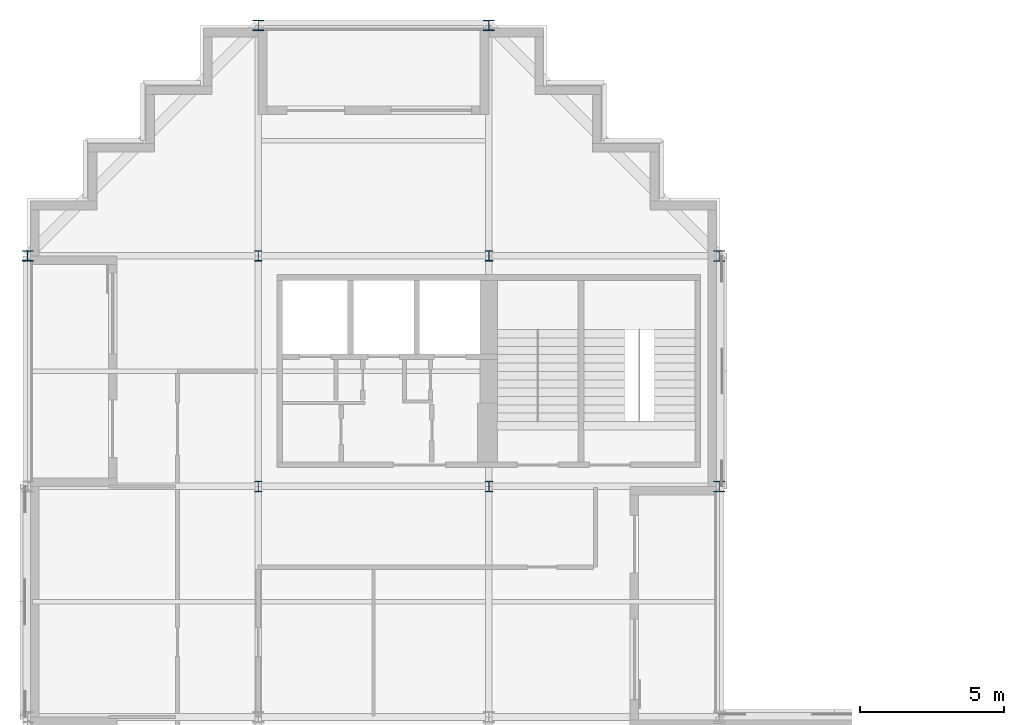
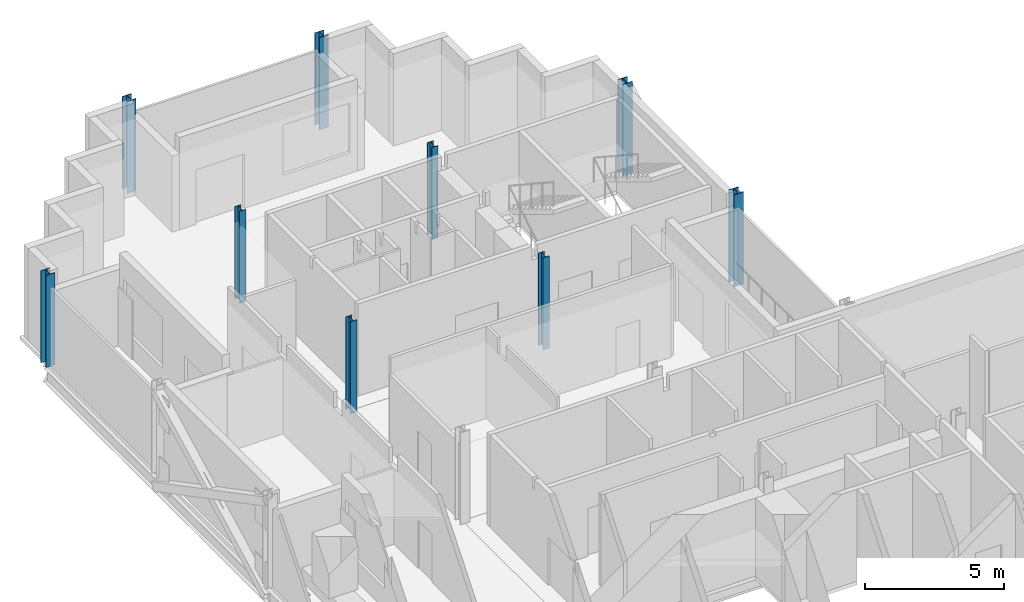
# One storey, part 2 of 11: 9 columns.
"""IFC4 building model written with IfcOpenShell, lengths in metres."""

from ifc_helpers import new_model, si_unit, direction, frame, origin, origin_2d, place, context, subcontext, project, spatial, i_section, extrude, material, material_profile, profile_set, type_object, element, save


model = new_model("IFC4")

# Units and contexts
model_context = context("Model", 3, precision=1e-05, world=origin(), true_north=direction((0.0, 1.0)))
body_context = subcontext(model_context, "Body", "Model", "MODEL_VIEW")
ifc_project = project(units=[si_unit("LENGTHUNIT", "METRE"), si_unit("AREAUNIT", "SQUARE_METRE"), si_unit("VOLUMEUNIT", "CUBIC_METRE"), si_unit("PLANEANGLEUNIT", "RADIAN"), si_unit("MASSUNIT", "GRAM", prefix="KILO")], contexts=[model_context])

# Site, building, storey
site_placement = place(None, origin())
site = spatial("IfcSite", under=ifc_project, at=site_placement, CompositionType="ELEMENT")
building_placement = place(site_placement, origin())
building = spatial("IfcBuilding", under=site, at=building_placement, Name="Immortelle Media Tower", CompositionType="ELEMENT")
storey_placement = place(building_placement, frame((0.0, 0.0, 157.800048828125)))
storey = spatial("IfcBuildingStorey", under=building, at=storey_placement, Name="L32", CompositionType="ELEMENT", Elevation=157.800048828125)

# Columns
ifc_material = material(Name="Steel ASTM A992 Gr 50", Category="steel")
ifc_material_profile_1 = material_profile(ifc_material, i_section(OverallWidth=0.373046875, OverallDepth=0.367919921875, WebThickness=0.014892578125, FlangeThickness=0.02392578125, at=origin_2d()), Name="W14x120")
ifc_profile_set_1 = profile_set([ifc_material_profile_1], Name="Steel ASTM A992 Gr 50")
column_type_1 = type_object("IfcColumnType", Name="W14x120 column", PredefinedType="COLUMN", material=ifc_profile_set_1)
for number, where, z_axis, x_axis, name in (
    (1, (0.0, 40.0, 0.0), (0.0, 0.0, 1.0), (1.0, 0.0, 0.0), "Column 1/F"),
    (2, (8.0, 48.0, 0.0), (0.0, 0.0, 1.0), (1.0, 0.0, 0.0), "Column 2/G"),
    (3, (16.0, 48.0, 0.0), (0.0, 0.0, 1.0), (1.0, 0.0, 0.0), "Column 3/G"),
):
    element("IfcColumn", number, at=place(storey_placement, frame(where, z_axis=z_axis, x_axis=x_axis)), inside=storey, type_object=column_type_1, Name=name, PredefinedType="COLUMN", context=body_context, shape_type="SweptSolid", body=[
        extrude(i_section(OverallWidth=0.373046875, OverallDepth=0.367919921875, WebThickness=0.014892578125, FlangeThickness=0.02392578125, at=origin_2d()), origin(), (0.0, 0.0, 1.0), 4.050048828125),
    ])
ifc_material_profile_2 = material_profile(ifc_material, i_section(OverallWidth=0.39892578125, OverallDepth=0.385986328125, WebThickness=0.02099609375, FlangeThickness=0.032958984375, at=origin_2d()), Name="W14x176")
ifc_profile_set_2 = profile_set([ifc_material_profile_2], Name="Steel ASTM A992 Gr 50")
column_type_2 = type_object("IfcColumnType", Name="W14x176 column", PredefinedType="COLUMN", material=ifc_profile_set_2)
for number, where, z_axis, x_axis, name in (
    (4, (24.0, 32.0, 0.0), (0.0, 0.0, 1.0), (1.0, 0.0, 0.0), "Column 4/E"),
    (5, (24.0, 40.0, 0.0), (0.0, 0.0, 1.0), (1.0, 0.0, 0.0), "Column 4/F"),
):
    element("IfcColumn", number, at=place(storey_placement, frame(where, z_axis=z_axis, x_axis=x_axis)), inside=storey, type_object=column_type_2, Name=name, PredefinedType="COLUMN", context=body_context, shape_type="SweptSolid", body=[
        extrude(i_section(OverallWidth=0.39892578125, OverallDepth=0.385986328125, WebThickness=0.02099609375, FlangeThickness=0.032958984375, at=origin_2d()), origin(), (0.0, 0.0, 1.0), 4.050048828125),
    ])
ifc_material_profile_3 = material_profile(ifc_material, i_section(OverallWidth=0.257080078125, OverallDepth=0.363037109375, WebThickness=0.012939453125, FlangeThickness=0.02197265625, at=origin_2d()), Name="W14x82")
ifc_profile_set_3 = profile_set([ifc_material_profile_3], Name="Steel ASTM A992 Gr 50")
column_type_3 = type_object("IfcColumnType", Name="W14x82 column", PredefinedType="COLUMN", material=ifc_profile_set_3)
for number, where, z_axis, x_axis, name in (
    (6, (8.0, 32.0, 0.0), (0.0, 0.0, 1.0), (1.0, 0.0, 0.0), "Column 2/E"),
    (7, (8.0, 40.0, 0.0), (0.0, 0.0, 1.0), (1.0, 0.0, 0.0), "Column 2/F"),
    (8, (16.0, 32.0, 0.0), (0.0, 0.0, 1.0), (1.0, 0.0, 0.0), "Column 3/E"),
    (9, (16.0, 40.0, 0.0), (0.0, 0.0, 1.0), (1.0, 0.0, 0.0), "Column 3/F"),
):
    element("IfcColumn", number, at=place(storey_placement, frame(where, z_axis=z_axis, x_axis=x_axis)), inside=storey, type_object=column_type_3, Name=name, PredefinedType="COLUMN", context=body_context, shape_type="SweptSolid", body=[
        extrude(i_section(OverallWidth=0.257080078125, OverallDepth=0.363037109375, WebThickness=0.012939453125, FlangeThickness=0.02197265625, at=origin_2d()), origin(), (0.0, 0.0, 1.0), 4.050048828125),
    ])

save(model, "model.ifc")
